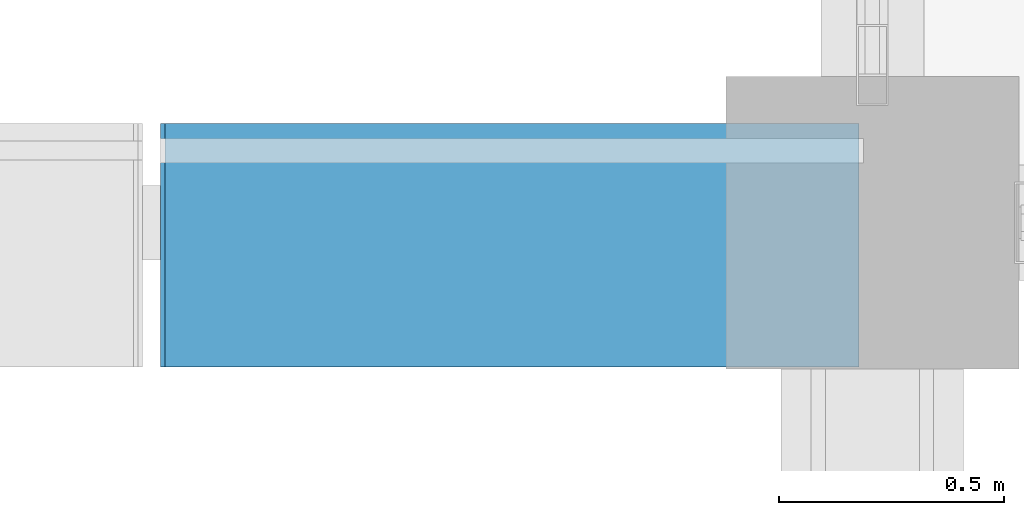
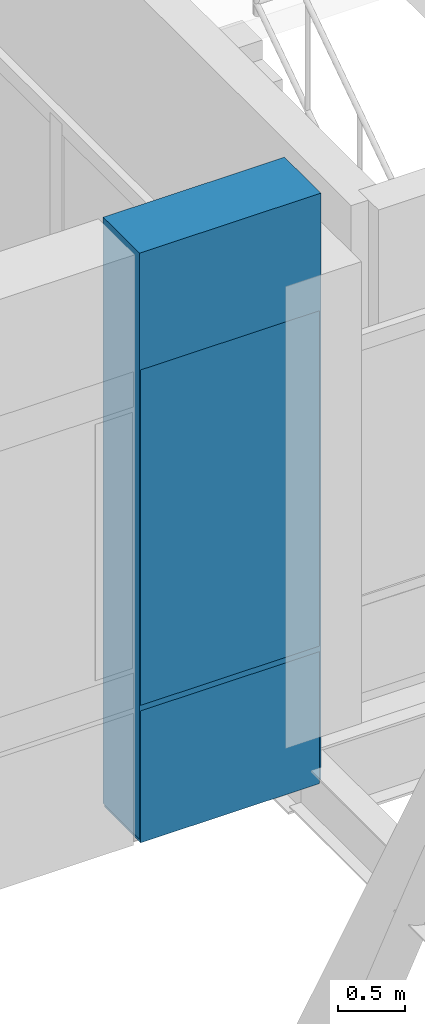
# One storey, part 122 of 144: 3 discrete accessories.
"""IFC4 building model written with IfcOpenShell, lengths in metres."""

from ifc_helpers import new_model, si_unit, direction, frame, origin, origin_2d, place, context, subcontext, project, spatial, rectangle, extrude, material, type_object, element, save


model = new_model("IFC4")

# Units and contexts
model_context = context("Model", 3, precision=1e-05, world=origin(), true_north=direction((0.0, 1.0)))
body_context = subcontext(model_context, "Body", "Model", "MODEL_VIEW")
ifc_project = project(units=[si_unit("LENGTHUNIT", "METRE"), si_unit("AREAUNIT", "SQUARE_METRE"), si_unit("VOLUMEUNIT", "CUBIC_METRE"), si_unit("PLANEANGLEUNIT", "RADIAN"), si_unit("MASSUNIT", "GRAM", prefix="KILO")], contexts=[model_context])

# Site, building, storey
site_placement = place(None, origin())
site = spatial("IfcSite", under=ifc_project, at=site_placement, CompositionType="ELEMENT")
building_placement = place(site_placement, origin())
building = spatial("IfcBuilding", under=site, at=building_placement, Name="Yarey Park Central Fire Station", CompositionType="ELEMENT")
storey_placement = place(building_placement, frame((0.0, 0.0, 10.199951171875)))
storey = spatial("IfcBuildingStorey", under=building, at=storey_placement, Name="L03", CompositionType="ELEMENT", Elevation=10.199951171875)

# Discrete accessories
ifc_material = material(Name="Stainless Steel AISI 316L", Category="steel")
discrete_accessory_type = type_object("IfcDiscreteAccessoryType", Name="ENV_BRK_SS1", PredefinedType="BRACKET", material=ifc_material)
discrete_accessory_1_placement = place(storey_placement, frame((114.39990234375, 93.550048828125, -0.4248046875), z_axis=(0.0, 0.0, 1.0), x_axis=(1.0, 0.0, 0.0)))
element("IfcDiscreteAccessory", 1, at=discrete_accessory_1_placement, inside=storey, type_object=discrete_accessory_type, Name="BRK_PERF_L03_1711", PredefinedType="BRACKET", context=body_context, shape_type="SweptSolid", body=[
    extrude(rectangle(XDim=1.5400390625, YDim=0.5400390625, at=origin_2d()), origin(), (0.0, 0.0, 1.0), 1.199951171875),
])
discrete_accessory_2_placement = place(storey_placement, frame((114.39990234375, 93.550048828125, 0.8251953125), z_axis=(0.0, 0.0, 1.0), x_axis=(1.0, 0.0, 0.0)))
element("IfcDiscreteAccessory", 2, at=discrete_accessory_2_placement, inside=storey, type_object=discrete_accessory_type, Name="BRK_PERF_L03_1712", PredefinedType="BRACKET", context=body_context, shape_type="SweptSolid", body=[
    extrude(rectangle(XDim=1.5400390625, YDim=0.5400390625, at=origin_2d()), origin(), (0.0, 0.0, 1.0), 3.050048828125),
])
discrete_accessory_3_placement = place(storey_placement, frame((114.39990234375, 93.550048828125, -0.389892578125), z_axis=(0.0, 0.0, 1.0), x_axis=(1.0, 0.0, 0.0)))
element("IfcDiscreteAccessory", 3, at=discrete_accessory_3_placement, inside=storey, type_object=discrete_accessory_type, Name="BRK_RAIL_L03_1713", PredefinedType="BRACKET", context=body_context, shape_type="SweptSolid", body=[
    extrude(rectangle(XDim=1.56005859375, YDim=0.5400390625, at=origin_2d()), origin(), (0.0, 0.0, 1.0), 5.330078125),
])

save(model, "model.ifc")
